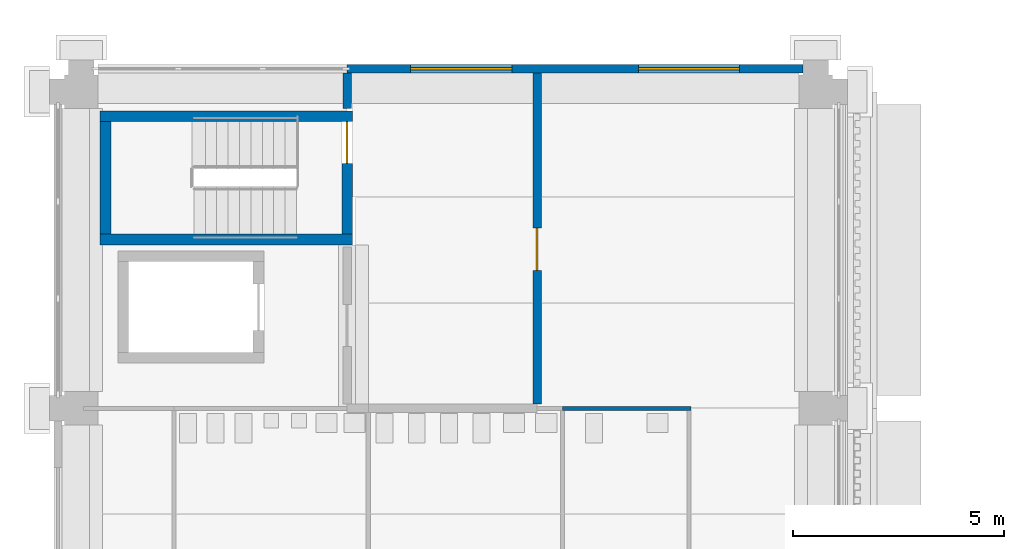
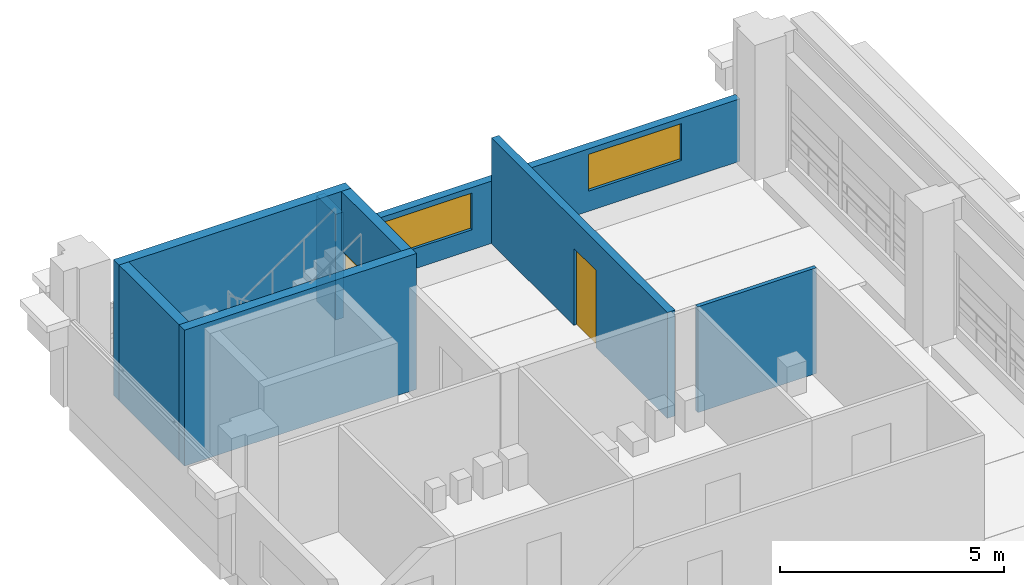
# One storey, part 34 of 71: 8 walls, 2 doors, 2 windows, 4 openings.
"""IFC4 building model written with IfcOpenShell, lengths in metres."""

import ifcopenshell
import ifcopenshell.guid

model = None  # the IFC model being written
_history = None  # IfcOwnerHistory: only IFC2X3 demands one
_inside = {}  # id of a spatial element -> (the spatial element, [elements in it])
_under = {}  # id of a project, library or spatial element -> (it, [spatial elements below it])
_declared = {}  # id of a project -> (the project, [libraries it declares])
_typed = {}  # id of a type object -> (the type object, [elements of that type])
_made_of = {}  # id of a material, layer set ... -> (it, [elements and type objects made of it])


def new_model(schema):
    """Start an empty IFC model of exactly this schema.

    Asked for "IFC4X3", IfcOpenShell would pick the latest addendum, in which some entities
    have other attributes; the version numbers below select the first issue.
    IFC2X3 requires an IfcOwnerHistory on every rooted entity: one is made here for all.
    """
    global model, _history
    if schema == "IFC4X3":
        model = ifcopenshell.file(schema_version=(4, 3, 0, 0))
    else:
        model = ifcopenshell.file(schema=schema)
    _inside.clear()
    _under.clear()
    _declared.clear()
    _typed.clear()
    _made_of.clear()
    _history = None
    if model.schema == "IFC2X3":
        org = make("IfcOrganization", Name="unknown")
        user = make(
            "IfcPersonAndOrganization",
            ThePerson=make("IfcPerson", FamilyName="unknown"),
            TheOrganization=org,
        )
        app = make(
            "IfcApplication",
            ApplicationDeveloper=org,
            Version="unknown",
            ApplicationFullName="unknown",
            ApplicationIdentifier="unknown",
        )
        _history = make(
            "IfcOwnerHistory",
            OwningUser=user,
            OwningApplication=app,
            ChangeAction="ADDED",
            CreationDate=0,
        )
    return model


def make(cls, **values):
    """One entity of the class cls with the attributes given. An attribute that is None is left unset."""
    return model.create_entity(
        cls, **{name: value for name, value in values.items() if value is not None}
    )


def rooted(cls, **values):
    """An entity with a GlobalId (a new one), such as an element, a storey or a relation."""
    return make(cls, GlobalId=ifcopenshell.guid.new(), OwnerHistory=_history, **values)


def si_unit(unit_type, name, prefix=None):
    """IfcSIUnit, for example si_unit("LENGTHUNIT", "METRE", prefix="MILLI")."""
    return make("IfcSIUnit", UnitType=unit_type, Prefix=prefix, Name=name)


def assignment(units):
    """IfcUnitAssignment: the units of a project."""
    return None if units is None else make("IfcUnitAssignment", Units=units)


def point(xyz):
    """IfcCartesianPoint."""
    return None if xyz is None else make("IfcCartesianPoint", Coordinates=xyz)


def direction(xyz):
    """IfcDirection."""
    return None if xyz is None else make("IfcDirection", DirectionRatios=xyz)


def frame(location, z_axis=None, x_axis=None):
    """IfcAxis2Placement3D, a coordinate frame: its origin and axes. An axis left out is left unset."""
    return make(
        "IfcAxis2Placement3D",
        Location=point(location),
        Axis=direction(z_axis),
        RefDirection=direction(x_axis),
    )


def frame_2d(location, x_axis=None):
    """IfcAxis2Placement2D, a coordinate frame in the plane: its origin and x axis."""
    return make(
        "IfcAxis2Placement2D", Location=point(location), RefDirection=direction(x_axis)
    )


def origin():
    """The frame at (0, 0, 0) with its axes left unset."""
    return frame((0.0, 0.0, 0.0))


def place(relative_to, where):
    """IfcLocalPlacement: puts the frame where relative to a parent placement (None: the world)."""
    return make(
        "IfcLocalPlacement", PlacementRelTo=relative_to, RelativePlacement=where
    )


def context(
    kind, dimensions, precision=None, world=None, true_north=None, identifier=None
):
    """IfcGeometricRepresentationContext, for example the 3D "Model" context."""
    return make(
        "IfcGeometricRepresentationContext",
        ContextIdentifier=identifier,
        ContextType=kind,
        CoordinateSpaceDimension=dimensions,
        Precision=precision,
        WorldCoordinateSystem=world,
        TrueNorth=true_north,
    )


def subcontext(parent, identifier, kind, view, scale=None):
    """IfcGeometricRepresentationSubContext, for example "Body" below "Model"."""
    return make(
        "IfcGeometricRepresentationSubContext",
        ContextIdentifier=identifier,
        ContextType=kind,
        ParentContext=parent,
        TargetScale=scale,
        TargetView=view,
    )


def project(units=None, contexts=None):
    """IfcProject with its units and contexts."""
    return rooted(
        "IfcProject",
        Name="project",
        RepresentationContexts=contexts,
        UnitsInContext=assignment(units),
    )


def spatial(cls, under=None, at=None, **own):
    """A site, building, storey or space (cls), placed at a placement, below another one or the project."""
    s = rooted(cls, ObjectPlacement=at, **own)
    if under is not None:
        _under.setdefault(under.id(), (under, []))[1].append(s)
    return s


def profile(cls, at=None, kind="AREA", **sizes):
    """A parametric profile (cls). Its sizes go by their IFC names, for example OverallWidth=200.0."""
    return make(cls, ProfileType=kind, Position=at, **sizes)


def rectangle(**sizes):
    """IfcRectangleProfileDef."""
    return profile("IfcRectangleProfileDef", **sizes)


def extrude(swept, where, along, depth):
    """IfcExtrudedAreaSolid: the profile swept, set in the frame where, extruded along a direction by depth."""
    return make(
        "IfcExtrudedAreaSolid",
        SweptArea=swept,
        Position=where,
        ExtrudedDirection=direction(along),
        Depth=depth,
    )


def shape(context_of_items, identifier, shape_type, items):
    """IfcShapeRepresentation: the items that make up one representation, for example the "Body"."""
    return make(
        "IfcShapeRepresentation",
        ContextOfItems=context_of_items,
        RepresentationIdentifier=identifier,
        RepresentationType=shape_type,
        Items=items,
    )


def material(Name=None, Category=None):
    """IfcMaterial."""
    return make("IfcMaterial", Name=Name, Category=Category)


def layer(
    of_material, thickness, ventilated=None, Name=None, Category=None, Priority=None
):
    """IfcMaterialLayer: one layer of a wall or slab, of a material (None: an air gap)."""
    return make(
        "IfcMaterialLayer",
        Material=of_material,
        LayerThickness=thickness,
        IsVentilated=ventilated,
        Name=Name,
        Category=Category,
        Priority=Priority,
    )


def layer_set(layers, Name=None):
    """IfcMaterialLayerSet."""
    return make("IfcMaterialLayerSet", MaterialLayers=layers, LayerSetName=Name)


def made_of(thing, what):
    """Note that an element or type object is made of a material, layer set ...; save() writes the relation."""
    if what is not None:
        _made_of.setdefault(what.id(), (what, []))[1].append(thing)
    return thing


def type_object(cls, material=None, **own):
    """A type object (cls), such as IfcWallType, which elements share."""
    return made_of(rooted(cls, **own), material)


def element(
    cls,
    number,
    at=None,
    inside=None,
    cuts=None,
    type_object=None,
    material=None,
    context=None,
    identifier="Body",
    shape_type=None,
    held_by="IfcProductDefinitionShape",
    body=None,
    shapes=None,
    **own,
):
    """One element of the class cls, such as IfcWall. Its Tag is "e" and its number.

    at: its placement. inside: the storey or other place that contains it. cuts: it is an
    opening in that element (IfcRelVoidsElement). A single representation is given by context,
    identifier, shape_type and body (its items); several are given by shapes. held_by: the class
    of the entity that holds the representations. save() writes the other relations.
    """
    e = rooted(cls, Tag="e%d" % number, ObjectPlacement=at, **own)
    if body is not None:
        shapes = [shape(context, identifier, shape_type, body)]
    if shapes is not None:
        e.Representation = make(held_by, Representations=shapes)
    if inside is not None:
        _inside.setdefault(inside.id(), (inside, []))[1].append(e)
    if cuts is not None:
        rooted(
            "IfcRelVoidsElement", RelatingBuildingElement=cuts, RelatedOpeningElement=e
        )
    if type_object is not None:
        _typed.setdefault(type_object.id(), (type_object, []))[1].append(e)
    return made_of(e, material)


def fill(opening, filler):
    """IfcRelFillsElement: the door or window that sits in an opening."""
    return rooted(
        "IfcRelFillsElement",
        RelatingOpeningElement=opening,
        RelatedBuildingElement=filler,
    )


def aggregate(whole, parts):
    """IfcRelAggregates: a whole, such as a stair, and the parts it consists of."""
    return rooted("IfcRelAggregates", RelatingObject=whole, RelatedObjects=parts)


def save(model, path):
    """Write the relations noted so far, then the file.

    IfcRelAggregates (storeys below a building ...), IfcRelContainedInSpatialStructure (elements
    in a storey), IfcRelDefinesByType, IfcRelAssociatesMaterial and IfcRelDeclares: one each for
    every whole, place, type object, material and project.
    """
    for whole, parts in _under.values():
        aggregate(whole, parts)
    for where, things in _inside.values():
        rooted(
            "IfcRelContainedInSpatialStructure",
            RelatedElements=things,
            RelatingStructure=where,
        )
    for kind, things in _typed.values():
        rooted("IfcRelDefinesByType", RelatedObjects=things, RelatingType=kind)
    for what, things in _made_of.values():
        rooted("IfcRelAssociatesMaterial", RelatedObjects=things, RelatingMaterial=what)
    for by, libraries in _declared.values():
        rooted("IfcRelDeclares", RelatingContext=by, RelatedDefinitions=libraries)
    model.write(path)


model = new_model("IFC4")

# Units and contexts
model_context = context("Model", 3, precision=1e-05, world=origin(), true_north=direction((0.0, 1.0)))
body_context = subcontext(model_context, "Body", "Model", "MODEL_VIEW")
ifc_project = project(units=[si_unit("LENGTHUNIT", "METRE"), si_unit("AREAUNIT", "SQUARE_METRE"), si_unit("VOLUMEUNIT", "CUBIC_METRE"), si_unit("PLANEANGLEUNIT", "RADIAN"), si_unit("MASSUNIT", "GRAM", prefix="KILO")], contexts=[model_context])

# Site, building, storey
site_placement = place(None, origin())
site = spatial("IfcSite", under=ifc_project, at=site_placement, CompositionType="ELEMENT")
building_placement = place(site_placement, origin())
building = spatial("IfcBuilding", under=site, at=building_placement, Name="Cour d'Honneur Mobility Palace", CompositionType="ELEMENT")
storey_placement = place(building_placement, frame((0.0, 0.0, 15.60009765625)))
storey = spatial("IfcBuildingStorey", under=building, at=storey_placement, Name="L04", CompositionType="ELEMENT", Elevation=15.60009765625)

# Wall
ifc_material_1 = material(Name="Gypsum plasterboard")
ifc_layer_1 = layer(ifc_material_1, 0.10009765625)
ifc_layer_set_1 = layer_set([ifc_layer_1], Name="Gypsum plasterboard")
wall_type_1 = type_object("IfcWallType", Name="Partition 100", PredefinedType="PARTITIONING", material=ifc_layer_set_1)
wall_1_placement = place(storey_placement, frame((14.449951171875, 107.39990234375, 0.0), z_axis=(0.0, 0.0, 1.0), x_axis=(-1.0, 0.0, 0.0)))
element("IfcWall", 1, at=wall_1_placement, inside=storey, type_object=wall_type_1, Name="Partition 094", PredefinedType="PARTITIONING", context=body_context, shape_type="SweptSolid", body=[
    extrude(rectangle(XDim=3.050048828125, YDim=0.10009765625, at=frame_2d((1.52490234375, 0.0))), origin(), (0.0, 0.0, 1.0), 2.8798828125),
])

# Wall, opening, door
ifc_material_2 = material(Name="Gypsum plasterboard")
ifc_layer_2 = layer(ifc_material_2, 0.199951171875)
ifc_layer_set_2 = layer_set([ifc_layer_2], Name="Gypsum plasterboard")
wall_type_2 = type_object("IfcWallType", Name="Partition 200 rated EI 120", PredefinedType="PARTITIONING", material=ifc_layer_set_2)
wall_2_placement = place(storey_placement, frame((10.800048828125, 107.5, 0.0), z_axis=(0.0, 0.0, 1.0), x_axis=(0.0, 1.0, 0.0)))
wall_2 = element("IfcWall", 2, at=wall_2_placement, inside=storey, type_object=wall_type_2, Name="Partition 092", PredefinedType="PARTITIONING", context=body_context, shape_type="SweptSolid", body=[
    extrude(rectangle(XDim=7.85009765625, YDim=0.199951171875, at=frame_2d((3.925048828125, 0.0))), origin(), (0.0, 0.0, 1.0), 2.8798828125),
])
opening_1_placement = place(wall_2_placement, frame((3.169921875, 0.0, 0.0)))
opening_1 = element("IfcOpeningElement", 3, at=opening_1_placement, cuts=wall_2, Name="Opening D0402", PredefinedType="OPENING", context=body_context, shape_type="SweptSolid", body=[
    extrude(rectangle(XDim=1.0, YDim=2.10009765625, at=frame_2d((0.5, 1.050048828125))), frame((0.0, 0.10986328125, 0.0), z_axis=(0.0, -1.0, 0.0), x_axis=(1.0, 0.0, 0.0)), (0.0, 0.0, 1.0), 0.219970703125),
])
ifc_material_3 = material(Name="Galvanised steel", Category="steel")
door_type_1 = type_object("IfcDoorType", Name="Fire door FD120 1000 x 2100", OperationType="SINGLE_SWING_LEFT", PredefinedType="DOOR", material=ifc_material_3)
door_1_placement = place(opening_1_placement, origin())
door_1 = element("IfcDoor", 4, at=door_1_placement, inside=storey, type_object=door_type_1, Name="Door Lift Lobby NW", OperationType="SINGLE_SWING_LEFT", OverallHeight=2.10009765625, OverallWidth=1.0, PredefinedType="DOOR", context=body_context, shape_type="SweptSolid", body=[
    extrude(rectangle(XDim=1.0, YDim=2.10009765625, at=frame_2d((0.5, 1.050048828125))), frame((0.0, 0.02490234375, 0.0), z_axis=(0.0, -1.0, 0.0), x_axis=(1.0, 0.0, 0.0)), (0.0, 0.0, 1.0), 0.050048828125),
])
fill(opening_1, door_1)

# Wall
wall_3_placement = place(storey_placement, frame((6.300048828125, 115.35009765625, 0.0), z_axis=(0.0, 0.0, 1.0), x_axis=(0.0, -1.0, 0.0)))
element("IfcWall", 5, at=wall_3_placement, inside=storey, type_object=wall_type_2, Name="Partition 108", PredefinedType="PARTITIONING", context=body_context, shape_type="SweptSolid", body=[
    extrude(rectangle(XDim=0.85009765625, YDim=0.199951171875, at=frame_2d((0.425048828125, 0.0))), origin(), (0.0, 0.0, 1.0), 2.8798828125),
])

# Wall, openings, windows
ifc_material_4 = material(Name="Concrete C40", Category="concrete")
ifc_layer_3 = layer(ifc_material_4, 0.199951171875)
ifc_layer_set_3 = layer_set([ifc_layer_3], Name="Concrete C40")
wall_type_3 = type_object("IfcWallType", Name="Spandrel panel", PredefinedType="SOLIDWALL", material=ifc_layer_set_3)
wall_4_placement = place(storey_placement, frame((17.10009765625, 115.449951171875, 0.0), z_axis=(0.0, 0.0, 1.0), x_axis=(-1.0, 0.0, 0.0)))
wall_4 = element("IfcWall", 6, at=wall_4_placement, inside=storey, type_object=wall_type_3, Name="Spandrel panel SW-25", PredefinedType="SOLIDWALL", context=body_context, shape_type="SweptSolid", body=[
    extrude(rectangle(XDim=10.800048828125, YDim=0.199951171875, at=frame_2d((5.39990234375, 0.0))), origin(), (0.0, 0.0, 1.0), 1.699951171875),
])
opening_2_placement = place(wall_4_placement, frame((1.5, 0.0, 0.550048828125)))
opening_2 = element("IfcOpeningElement", 7, at=opening_2_placement, cuts=wall_4, Name="Opening W2-25", PredefinedType="OPENING", context=body_context, shape_type="SweptSolid", body=[
    extrude(rectangle(XDim=2.39990234375, YDim=1.0, at=frame_2d((1.199951171875, 0.5))), frame((0.0, 0.10986328125, 0.0), z_axis=(0.0, -1.0, 0.0), x_axis=(1.0, 0.0, 0.0)), (0.0, 0.0, 1.0), 0.219970703125),
])
opening_3_placement = place(wall_4_placement, frame((6.89990234375, 0.0, 0.550048828125)))
opening_3 = element("IfcOpeningElement", 8, at=opening_3_placement, cuts=wall_4, Name="Opening W2-26", PredefinedType="OPENING", context=body_context, shape_type="SweptSolid", body=[
    extrude(rectangle(XDim=2.39990234375, YDim=1.0, at=frame_2d((1.199951171875, 0.5))), frame((0.0, 0.10986328125, 0.0), z_axis=(0.0, -1.0, 0.0), x_axis=(1.0, 0.0, 0.0)), (0.0, 0.0, 1.0), 0.219970703125),
])
ifc_material_5 = material(Name="Aluminium frame and glass", Category="aluminium")
window_type = type_object("IfcWindowType", Name="Gallery window W2", PartitioningType="TRIPLE_PANEL_VERTICAL", PredefinedType="WINDOW", material=ifc_material_5)
window_1_placement = place(opening_2_placement, origin())
window_1 = element("IfcWindow", 9, at=window_1_placement, inside=storey, type_object=window_type, Name="Gallery window W2 W2-25", OverallHeight=1.0, OverallWidth=2.39990234375, PartitioningType="SINGLE_PANEL", PredefinedType="WINDOW", context=body_context, shape_type="SweptSolid", body=[
    extrude(rectangle(XDim=2.39990234375, YDim=1.0, at=frame_2d((1.199951171875, 0.5))), frame((0.0, 0.030029296875, 0.0), z_axis=(0.0, -1.0, 0.0), x_axis=(1.0, 0.0, 0.0)), (0.0, 0.0, 1.0), 0.06005859375),
])
fill(opening_2, window_1)
window_2_placement = place(opening_3_placement, origin())
window_2 = element("IfcWindow", 10, at=window_2_placement, inside=storey, type_object=window_type, Name="Gallery window W2 W2-26", OverallHeight=1.0, OverallWidth=2.39990234375, PartitioningType="SINGLE_PANEL", PredefinedType="WINDOW", context=body_context, shape_type="SweptSolid", body=[
    extrude(rectangle(XDim=2.39990234375, YDim=1.0, at=frame_2d((1.199951171875, 0.5))), frame((0.0, 0.030029296875, 0.0), z_axis=(0.0, -1.0, 0.0), x_axis=(1.0, 0.0, 0.0)), (0.0, 0.0, 1.0), 0.06005859375),
])
fill(opening_3, window_2)

# Walls
ifc_material_6 = material(Name="Concrete C50", Category="concrete")
ifc_layer_4 = layer(ifc_material_6, 0.25)
ifc_layer_set_4 = layer_set([ifc_layer_4], Name="Concrete C50")
wall_type_4 = type_object("IfcWallType", Name="Stair wall 250", PredefinedType="SHEAR", material=ifc_layer_set_4)
for number, where, z_axis, x_axis, name in (
    (11, (0.449951171875, 111.39990234375, 0.0), (0.0, 0.0, 1.0), (1.0, 0.0, 0.0), "Stair wall WS-NW3 L04"),
    (12, (0.449951171875, 114.324951171875, 0.0), (0.0, 0.0, 1.0), (1.0, 0.0, 0.0), "Stair wall WS-NW4 L04"),
):
    element("IfcWall", number, at=place(storey_placement, frame(where, z_axis=z_axis, x_axis=x_axis)), inside=storey, type_object=wall_type_4, Name=name, PredefinedType="SHEAR", context=body_context, shape_type="SweptSolid", body=[
        extrude(rectangle(XDim=5.97509765625, YDim=0.25, at=frame_2d((2.987548828125, 0.0))), origin(), (0.0, 0.0, 1.0), 3.699951171875),
    ])
wall_5_placement = place(storey_placement, frame((0.574951171875, 111.52490234375, 0.0), z_axis=(0.0, 0.0, 1.0), x_axis=(0.0, 1.0, 0.0)))
element("IfcWall", 13, at=wall_5_placement, inside=storey, type_object=wall_type_4, Name="Stair wall WS-NW5 L04", PredefinedType="SHEAR", context=body_context, shape_type="SweptSolid", body=[
    extrude(rectangle(XDim=2.675048828125, YDim=0.25, at=frame_2d((1.33740234375, 0.0))), origin(), (0.0, 0.0, 1.0), 3.699951171875),
])

# Wall, opening, door
wall_6_placement = place(storey_placement, frame((6.300048828125, 111.52490234375, 0.0), z_axis=(0.0, 0.0, 1.0), x_axis=(0.0, 1.0, 0.0)))
wall_6 = element("IfcWall", 14, at=wall_6_placement, inside=storey, type_object=wall_type_4, Name="Stair wall WS-NW8 L04", PredefinedType="SHEAR", context=body_context, shape_type="SweptSolid", body=[
    extrude(rectangle(XDim=2.675048828125, YDim=0.25, at=frame_2d((1.33740234375, 0.0))), origin(), (0.0, 0.0, 1.0), 3.699951171875),
])
opening_4_placement = place(wall_6_placement, frame((1.675048828125, 0.0, 0.0)))
opening_4 = element("IfcOpeningElement", 15, at=opening_4_placement, cuts=wall_6, Name="Opening S101", PredefinedType="OPENING", context=body_context, shape_type="SweptSolid", body=[
    extrude(rectangle(XDim=1.0, YDim=2.10009765625, at=frame_2d((0.5, 1.050048828125))), frame((0.0, 0.135009765625, 0.0), z_axis=(0.0, -1.0, 0.0), x_axis=(1.0, 0.0, 0.0)), (0.0, 0.0, 1.0), 0.27001953125),
])
ifc_material_7 = material(Name="Galvanised steel", Category="steel")
door_type_2 = type_object("IfcDoorType", Name="Fire door FD120 stair 1000 x 2100", OperationType="SINGLE_SWING_LEFT", PredefinedType="DOOR", material=ifc_material_7)
door_2_placement = place(opening_4_placement, origin())
door_2 = element("IfcDoor", 16, at=door_2_placement, inside=storey, type_object=door_type_2, Name="Stair door ST-NW1 L04", OperationType="SINGLE_SWING_LEFT", OverallHeight=2.10009765625, OverallWidth=1.0, PredefinedType="DOOR", context=body_context, shape_type="SweptSolid", body=[
    extrude(rectangle(XDim=1.0, YDim=2.10009765625, at=frame_2d((0.5, 1.050048828125))), frame((0.0, 0.02490234375, 0.0), z_axis=(0.0, -1.0, 0.0), x_axis=(1.0, 0.0, 0.0)), (0.0, 0.0, 1.0), 0.050048828125),
])
fill(opening_4, door_2)

save(model, "model.ifc")
